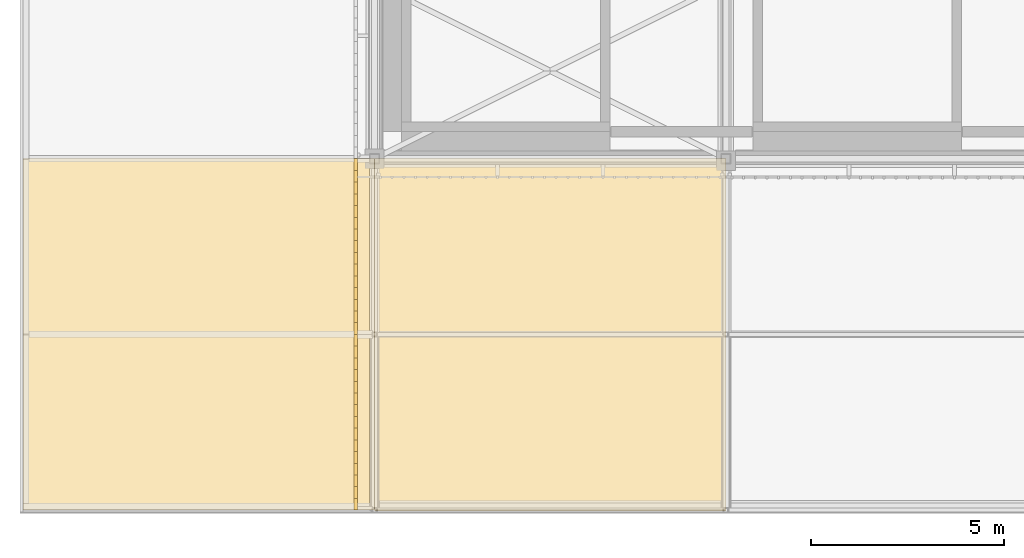
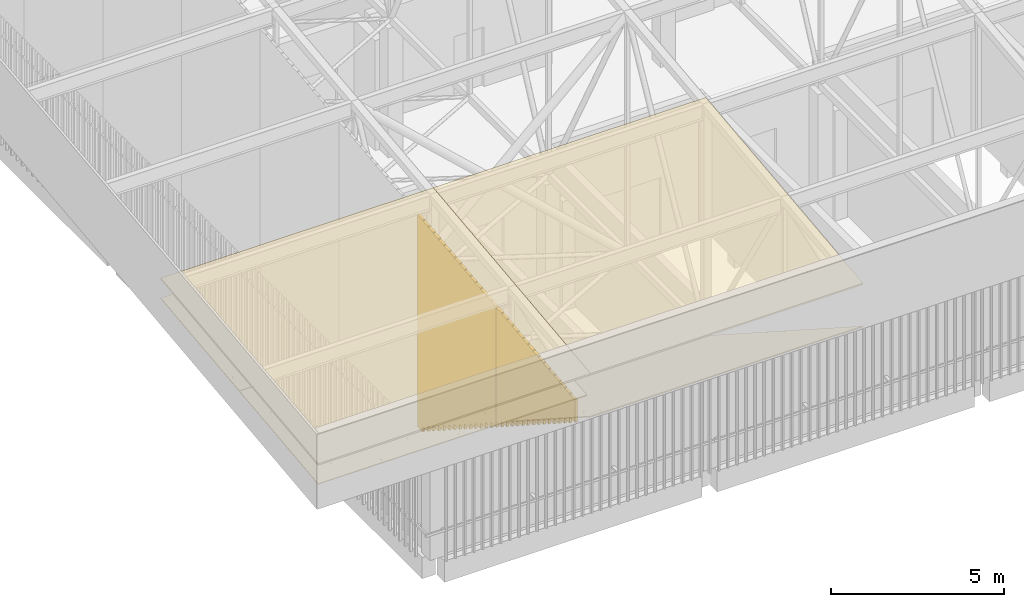
# One storey, part 455 of 500: 5 coverings, 2 shading devices.
"""IFC4 building model written with IfcOpenShell, lengths in metres."""

from ifc_helpers import new_model, si_unit, direction, frame, origin, origin_2d, place, context, subcontext, project, spatial, polyline, rectangle, outline, extrude, material, layer, layer_set, type_object, element, save


model = new_model("IFC4")

# Units and contexts
model_context = context("Model", 3, precision=1e-05, world=origin(), true_north=direction((0.0, 1.0)))
body_context = subcontext(model_context, "Body", "Model", "MODEL_VIEW")
ifc_project = project(units=[si_unit("LENGTHUNIT", "METRE"), si_unit("AREAUNIT", "SQUARE_METRE"), si_unit("VOLUMEUNIT", "CUBIC_METRE"), si_unit("PLANEANGLEUNIT", "RADIAN"), si_unit("MASSUNIT", "GRAM", prefix="KILO")], contexts=[model_context])

# Site, building, storey
site_placement = place(None, origin())
site = spatial("IfcSite", under=ifc_project, at=site_placement, CompositionType="ELEMENT")
building_placement = place(site_placement, origin())
building = spatial("IfcBuilding", under=site, at=building_placement, Name="Shirokan Park Arena", CompositionType="ELEMENT")
storey_placement = place(building_placement, frame((0.0, 0.0, 29.1201171875)))
storey = spatial("IfcBuildingStorey", under=building, at=storey_placement, Name="L06", CompositionType="ELEMENT", Elevation=29.1201171875)

# Coverings
ifc_material_1 = material(Name="Bituminous roofing membrane")
ifc_layer_1 = layer(ifc_material_1, 0.010009765625, Name="Bituminous roofing membrane")
ifc_material_2 = material(Name="Mineral wool insulation")
ifc_layer_2 = layer(ifc_material_2, 0.050048828125, Name="Mineral wool insulation")
ifc_layer_set_1 = layer_set([ifc_layer_1, ifc_layer_2], Name="Bituminous roofing membrane + Mineral wool insulation")
covering_type_1 = type_object("IfcCoveringType", Name="Roofing membrane 60", PredefinedType="ROOFING", material=ifc_layer_set_1)
for number, where, z_axis, x_axis, name in (
    (1, (-9.10009765625, -9.10009765625, 11.890625), (0.0, -0.113549598152, 0.993532328996), (1.0, 0.0, 0.0), "Roofing"),
    (2, (0.0, -9.10009765625, 11.890625), (0.0, -0.113549598152, 0.993532328996), (1.0, 0.0, 0.0), "Roofing"),
):
    element("IfcCovering", number, at=place(storey_placement, frame(where, z_axis=z_axis, x_axis=x_axis)), inside=storey, type_object=covering_type_1, Name=name, PredefinedType="ROOFING", context=body_context, shape_type="SweptSolid", body=[
        extrude(outline(polyline([(0.0, 0.0), (9.10009765625, 0.0), (9.10009765625, 9.15933723611117), (0.0, 9.15933723611117), (0.0, 0.0)])), origin(), (0.0, 0.0, -1.0), 0.06005859375),
    ])
ifc_material_3 = material(Name="Timber soffit boards (cedar)", Category="wood")
ifc_layer_3 = layer(ifc_material_3, 0.030029296875)
ifc_layer_set_2 = layer_set([ifc_layer_3], Name="Timber soffit boards (cedar) 30 mm")
covering_type_2 = type_object("IfcCoveringType", Name="Timber boarded soffit panel", PredefinedType="CLADDING", material=ifc_layer_set_2)
covering_1_placement = place(storey_placement, origin())
element("IfcCovering", 3, at=covering_1_placement, inside=storey, type_object=covering_type_2, Name="Eave soffit south bay 1", PredefinedType="CLADDING", context=body_context, shape_type="SweptSolid", body=[
    extrude(outline(polyline([(0.0, 0.0), (0.14269332184794056, 0.0), (0.14269332184794056, -9.1), (0.0, -9.1), (0.0, 0.0)])), frame((9.10009765625, -8.97998046875, 10.3037109375), z_axis=(0.0, 0.541090493936, 0.840964373426), x_axis=(0.0, -0.840964373426, 0.541090493936)), (0.0, 0.0, -1.0), 0.030029296875),
    extrude(outline(polyline([(0.0, 0.0), (0.1426933218479412, 0.0), (0.1426933218479412, -9.1), (0.0, -9.1), (0.0, 0.0)])), frame((0.0, -0.1201171875, 4.60302734375), z_axis=(0.0, 0.541090493936, 0.840964373427), x_axis=(0.0, 0.840964373427, -0.541090493936)), (0.0, 0.0, -1.0), 0.030029296875),
    extrude(outline(polyline([(0.0, 0.0), (0.11999999999999922, 0.0), (0.11999999999999922, -10.535473996759709), (0.0, -10.535473996759709), (0.0, 0.0)])), frame((9.10009765625, -8.97998046875, 10.3037109375), z_axis=(0.0, 0.541084340558, 0.84096833258), x_axis=(-1.0, 0.0, 0.0)), (0.0, 0.0, -1.0), 0.030029296875),
    extrude(outline(polyline([(0.0, 0.0), (0.12, 0.0), (0.12, -10.535473996759707), (0.0, -10.535473996759707), (0.0, 0.0)])), frame((0.0, -0.1201171875, 4.60302734375), z_axis=(0.0, 0.541084340558, 0.84096833258), x_axis=(1.0, 0.0, 0.0)), (0.0, 0.0, -1.0), 0.030029296875),
    extrude(outline(polyline([(0.0, 0.0), (10.535473996759707, 0.0), (10.535473996759707, -0.18333), (0.0, -0.18333), (0.0, 0.0)])), frame((0.1201171875, -8.97998046875, 10.3037109375), z_axis=(0.0, 0.541084340558, 0.84096833258), x_axis=(0.0, 0.84096833258, -0.541084340558)), (0.0, 0.0, -1.0), 0.030029296875),
    extrude(outline(polyline([(0.0, 0.0), (10.535473996759707, 0.0), (10.535473996759707, -0.30334000000000005), (0.0, -0.30334000000000005), (0.0, 0.0)])), frame((0.30322265625, -8.97998046875, 10.3037109375), z_axis=(0.0, 0.541084340558, 0.84096833258), x_axis=(0.0, 0.84096833258, -0.541084340558)), (0.0, 0.0, -1.0), 0.030029296875),
    extrude(outline(polyline([(0.0, 0.0), (10.535473996759709, 0.0), (10.535473996759709, -0.30333), (0.0, -0.30333), (0.0, 0.0)])), frame((0.606689453125, -8.97998046875, 10.3037109375), z_axis=(0.0, 0.541084340558, 0.84096833258), x_axis=(0.0, 0.84096833258, -0.541084340558)), (0.0, 0.0, -1.0), 0.030029296875),
    extrude(outline(polyline([(0.0, 0.0), (10.535473996759707, 0.0), (10.535473996759707, -0.30333), (0.0, -0.30333), (0.0, 0.0)])), frame((0.909912109375, -8.97998046875, 10.3037109375), z_axis=(0.0, 0.541084340558, 0.84096833258), x_axis=(0.0, 0.84096833258, -0.541084340558)), (0.0, 0.0, -1.0), 0.030029296875),
    extrude(outline(polyline([(0.0, 0.0), (10.535473996759707, 0.0), (10.535473996759707, -0.30333999999999994), (0.0, -0.30333999999999994), (0.0, 0.0)])), frame((1.21337890625, -8.97998046875, 10.3037109375), z_axis=(0.0, 0.541084340558, 0.84096833258), x_axis=(0.0, 0.84096833258, -0.541084340558)), (0.0, 0.0, -1.0), 0.030029296875),
    extrude(outline(polyline([(0.0, 0.0), (10.535473996759709, 0.0), (10.535473996759709, -0.3033300000000001), (0.0, -0.3033300000000001), (0.0, 0.0)])), frame((1.5166015625, -8.97998046875, 10.3037109375), z_axis=(0.0, 0.541084340558, 0.84096833258), x_axis=(0.0, 0.84096833258, -0.541084340558)), (0.0, 0.0, -1.0), 0.030029296875),
    extrude(outline(polyline([(0.0, 0.0), (10.535473996759707, 0.0), (10.535473996759707, -0.3033300000000001), (0.0, -0.3033300000000001), (0.0, 0.0)])), frame((1.820068359375, -8.97998046875, 10.3037109375), z_axis=(0.0, 0.541084340558, 0.84096833258), x_axis=(0.0, 0.84096833258, -0.541084340558)), (0.0, 0.0, -1.0), 0.030029296875),
    extrude(outline(polyline([(0.0, 0.0), (10.535473996759707, 0.0), (10.535473996759707, -0.30333999999999994), (0.0, -0.30333999999999994), (0.0, 0.0)])), frame((2.123291015625, -8.97998046875, 10.3037109375), z_axis=(0.0, 0.541084340558, 0.84096833258), x_axis=(0.0, 0.84096833258, -0.541084340558)), (0.0, 0.0, -1.0), 0.030029296875),
    extrude(outline(polyline([(0.0, 0.0), (10.535473996759709, 0.0), (10.535473996759709, -0.3033299999999999), (0.0, -0.3033299999999999), (0.0, 0.0)])), frame((2.4267578125, -8.97998046875, 10.3037109375), z_axis=(0.0, 0.541084340558, 0.84096833258), x_axis=(0.0, 0.84096833258, -0.541084340558)), (0.0, 0.0, -1.0), 0.030029296875),
    extrude(outline(polyline([(0.0, 0.0), (10.535473996759709, 0.0), (10.535473996759709, -0.3033299999999999), (0.0, -0.3033299999999999), (0.0, 0.0)])), frame((2.72998046875, -8.97998046875, 10.3037109375), z_axis=(0.0, 0.541084340558, 0.84096833258), x_axis=(0.0, 0.84096833258, -0.541084340558)), (0.0, 0.0, -1.0), 0.030029296875),
    extrude(outline(polyline([(0.0, 0.0), (10.535473996759707, 0.0), (10.535473996759707, -0.30333999999999994), (0.0, -0.30333999999999994), (0.0, 0.0)])), frame((3.033447265625, -8.97998046875, 10.3037109375), z_axis=(0.0, 0.541084340558, 0.84096833258), x_axis=(0.0, 0.84096833258, -0.541084340558)), (0.0, 0.0, -1.0), 0.030029296875),
    extrude(outline(polyline([(0.0, 0.0), (10.535473996759707, 0.0), (10.535473996759707, -0.3033300000000003), (0.0, -0.3033300000000003), (0.0, 0.0)])), frame((3.336669921875, -8.97998046875, 10.3037109375), z_axis=(0.0, 0.541084340558, 0.84096833258), x_axis=(0.0, 0.84096833258, -0.541084340558)), (0.0, 0.0, -1.0), 0.030029296875),
    extrude(outline(polyline([(0.0, 0.0), (10.535473996759709, 0.0), (10.535473996759709, -0.3033299999999999), (0.0, -0.3033299999999999), (0.0, 0.0)])), frame((3.639892578125, -8.97998046875, 10.3037109375), z_axis=(0.0, 0.541084340558, 0.84096833258), x_axis=(0.0, 0.84096833258, -0.541084340558)), (0.0, 0.0, -1.0), 0.030029296875),
    extrude(outline(polyline([(0.0, 0.0), (10.535473996759707, 0.0), (10.535473996759707, -0.30333999999999994), (0.0, -0.30333999999999994), (0.0, 0.0)])), frame((3.943359375, -8.97998046875, 10.3037109375), z_axis=(0.0, 0.541084340558, 0.84096833258), x_axis=(0.0, 0.84096833258, -0.541084340558)), (0.0, 0.0, -1.0), 0.030029296875),
    extrude(outline(polyline([(0.0, 0.0), (10.535473996759709, 0.0), (10.535473996759709, -0.3033299999999999), (0.0, -0.3033299999999999), (0.0, 0.0)])), frame((4.24658203125, -8.97998046875, 10.3037109375), z_axis=(0.0, 0.541084340558, 0.84096833258), x_axis=(0.0, 0.84096833258, -0.541084340558)), (0.0, 0.0, -1.0), 0.030029296875),
    extrude(outline(polyline([(0.0, 0.0), (10.535473996759709, 0.0), (10.535473996759709, -0.3033299999999999), (0.0, -0.3033299999999999), (0.0, 0.0)])), frame((4.550048828125, -8.97998046875, 10.3037109375), z_axis=(0.0, 0.541084340558, 0.84096833258), x_axis=(0.0, 0.84096833258, -0.541084340558)), (0.0, 0.0, -1.0), 0.030029296875),
    extrude(outline(polyline([(0.0, 0.0), (10.535473996759707, 0.0), (10.535473996759707, -0.3033400000000004), (0.0, -0.3033400000000004), (0.0, 0.0)])), frame((4.853271484375, -8.97998046875, 10.3037109375), z_axis=(0.0, 0.541084340558, 0.84096833258), x_axis=(0.0, 0.84096833258, -0.541084340558)), (0.0, 0.0, -1.0), 0.030029296875),
    extrude(outline(polyline([(0.0, 0.0), (10.535473996759709, 0.0), (10.535473996759709, -0.3033299999999999), (0.0, -0.3033299999999999), (0.0, 0.0)])), frame((5.15673828125, -8.97998046875, 10.3037109375), z_axis=(0.0, 0.541084340558, 0.84096833258), x_axis=(0.0, 0.84096833258, -0.541084340558)), (0.0, 0.0, -1.0), 0.030029296875),
    extrude(outline(polyline([(0.0, 0.0), (10.535473996759709, 0.0), (10.535473996759709, -0.3033299999999999), (0.0, -0.3033299999999999), (0.0, 0.0)])), frame((5.4599609375, -8.97998046875, 10.3037109375), z_axis=(0.0, 0.541084340558, 0.84096833258), x_axis=(0.0, 0.84096833258, -0.541084340558)), (0.0, 0.0, -1.0), 0.030029296875),
    extrude(outline(polyline([(0.0, 0.0), (10.535473996759707, 0.0), (10.535473996759707, -0.3033400000000004), (0.0, -0.3033400000000004), (0.0, 0.0)])), frame((5.763427734375, -8.97998046875, 10.3037109375), z_axis=(0.0, 0.541084340558, 0.84096833258), x_axis=(0.0, 0.84096833258, -0.541084340558)), (0.0, 0.0, -1.0), 0.030029296875),
    extrude(outline(polyline([(0.0, 0.0), (10.535473996759709, 0.0), (10.535473996759709, -0.3033299999999999), (0.0, -0.3033299999999999), (0.0, 0.0)])), frame((6.066650390625, -8.97998046875, 10.3037109375), z_axis=(0.0, 0.541084340558, 0.84096833258), x_axis=(0.0, 0.84096833258, -0.541084340558)), (0.0, 0.0, -1.0), 0.030029296875),
    extrude(outline(polyline([(0.0, 0.0), (10.535473996759709, 0.0), (10.535473996759709, -0.3033299999999999), (0.0, -0.3033299999999999), (0.0, 0.0)])), frame((6.3701171875, -8.97998046875, 10.3037109375), z_axis=(0.0, 0.541084340558, 0.84096833258), x_axis=(0.0, 0.84096833258, -0.541084340558)), (0.0, 0.0, -1.0), 0.030029296875),
    extrude(outline(polyline([(0.0, 0.0), (10.535473996759707, 0.0), (10.535473996759707, -0.3033400000000004), (0.0, -0.3033400000000004), (0.0, 0.0)])), frame((6.67333984375, -8.97998046875, 10.3037109375), z_axis=(0.0, 0.541084340558, 0.84096833258), x_axis=(0.0, 0.84096833258, -0.541084340558)), (0.0, 0.0, -1.0), 0.030029296875),
    extrude(outline(polyline([(0.0, 0.0), (10.535473996759709, 0.0), (10.535473996759709, -0.3033299999999999), (0.0, -0.3033299999999999), (0.0, 0.0)])), frame((6.9765625, -8.97998046875, 10.3037109375), z_axis=(0.0, 0.541084340558, 0.84096833258), x_axis=(0.0, 0.84096833258, -0.541084340558)), (0.0, 0.0, -1.0), 0.030029296875),
    extrude(outline(polyline([(0.0, 0.0), (10.535473996759709, 0.0), (10.535473996759709, -0.3033299999999999), (0.0, -0.3033299999999999), (0.0, 0.0)])), frame((7.280029296875, -8.97998046875, 10.3037109375), z_axis=(0.0, 0.541084340558, 0.84096833258), x_axis=(0.0, 0.84096833258, -0.541084340558)), (0.0, 0.0, -1.0), 0.030029296875),
    extrude(outline(polyline([(0.0, 0.0), (10.535473996759707, 0.0), (10.535473996759707, -0.3033399999999995), (0.0, -0.3033399999999995), (0.0, 0.0)])), frame((7.583251953125, -8.97998046875, 10.3037109375), z_axis=(0.0, 0.541084340558, 0.84096833258), x_axis=(0.0, 0.84096833258, -0.541084340558)), (0.0, 0.0, -1.0), 0.030029296875),
    extrude(outline(polyline([(0.0, 0.0), (10.535473996759709, 0.0), (10.535473996759709, -0.3033299999999999), (0.0, -0.3033299999999999), (0.0, 0.0)])), frame((7.88671875, -8.97998046875, 10.3037109375), z_axis=(0.0, 0.541084340558, 0.84096833258), x_axis=(0.0, 0.84096833258, -0.541084340558)), (0.0, 0.0, -1.0), 0.030029296875),
    extrude(outline(polyline([(0.0, 0.0), (10.535473996759707, 0.0), (10.535473996759707, -0.30333000000000077), (0.0, -0.30333000000000077), (0.0, 0.0)])), frame((8.18994140625, -8.97998046875, 10.3037109375), z_axis=(0.0, 0.541084340558, 0.84096833258), x_axis=(0.0, 0.84096833258, -0.541084340558)), (0.0, 0.0, -1.0), 0.030029296875),
    extrude(outline(polyline([(0.0, 0.0), (10.535473996759707, 0.0), (10.535473996759707, -0.3033400000000004), (0.0, -0.3033400000000004), (0.0, 0.0)])), frame((8.493408203125, -8.97998046875, 10.3037109375), z_axis=(0.0, 0.541084340558, 0.84096833258), x_axis=(0.0, 0.84096833258, -0.541084340558)), (0.0, 0.0, -1.0), 0.030029296875),
    extrude(outline(polyline([(0.0, 0.0), (0.18332999999999977, 0.0), (0.18332999999999977, -10.535473996759707), (0.0, -10.535473996759707), (0.0, 0.0)])), frame((8.97998046875, -8.97998046875, 10.3037109375), z_axis=(0.0, 0.541084340558, 0.84096833258), x_axis=(-1.0, 0.0, 0.0)), (0.0, 0.0, -1.0), 0.030029296875),
])
covering_2_placement = place(storey_placement, origin())
element("IfcCovering", 4, at=covering_2_placement, inside=storey, type_object=covering_type_2, Name="Rake soffit west bay 1", PredefinedType="CLADDING", context=body_context, shape_type="SweptSolid", body=[
    extrude(outline(polyline([(0.0, 0.0), (0.11999999999999922, 0.0), (0.11999999999999922, -4.57961788799022), (0.0, -4.57961788799022), (0.0, 0.0)])), frame((-8.97998046875, -9.10009765625, 11.181884765625), z_axis=(0.0, -0.113546591161, 0.993532672656), x_axis=(-1.0, 0.0, 0.0)), (0.0, 0.0, -1.0), 0.030029296875),
    extrude(outline(polyline([(0.0, 0.0), (0.12, 0.0), (0.12, -4.579617887990221), (0.0, -4.579617887990221), (0.0, 0.0)])), frame((-0.2470703125, -4.550048828125, 11.701904296875), z_axis=(0.0, -0.113546591161, 0.993532672656), x_axis=(1.0, 0.0, 0.0)), (0.0, 0.0, -1.0), 0.030029296875),
    extrude(outline(polyline([(0.0, 0.0), (0.12078064455863827, 0.0), (0.12078064455863827, -8.733), (0.0, -8.733), (0.0, 0.0)])), frame((-0.2470703125, -4.550048828125, 11.701904296875), z_axis=(0.0, -0.11351156512, 0.993536675007), x_axis=(0.0, -0.993536675007, -0.11351156512)), (0.0, 0.0, -1.0), 0.030029296875),
    extrude(outline(polyline([(0.0, 0.0), (0.12078064455863737, 0.0), (0.12078064455863737, -8.732999999999999), (0.0, -8.732999999999999), (0.0, 0.0)])), frame((-8.97998046875, -9.10009765625, 11.181884765625), z_axis=(0.0, -0.11351156512, 0.993536675007), x_axis=(0.0, 0.993536675007, 0.11351156512)), (0.0, 0.0, -1.0), 0.030029296875),
    extrude(outline(polyline([(0.0, 0.0), (8.733, 0.0), (8.733, -0.1845242816000098), (0.0, -0.1845242816000098), (0.0, 0.0)])), frame((-8.97998046875, -8.796630859375, 11.216552734375), z_axis=(0.0, -0.113589386818, 0.99352778079), x_axis=(1.0, 0.0, 0.0)), (0.0, 0.0, -1.0), 0.030029296875),
    extrude(outline(polyline([(0.0, 0.0), (8.733, 0.0), (8.733, -0.3053137258624322), (0.0, -0.3053137258624322), (0.0, 0.0)])), frame((-8.97998046875, -8.493408203125, 11.251220703125), z_axis=(0.0, -0.113522573877, 0.993535417195), x_axis=(1.0, 0.0, 0.0)), (0.0, 0.0, -1.0), 0.030029296875),
    extrude(outline(polyline([(0.0, 0.0), (8.733, 0.0), (8.733, -0.3053049259347126), (0.0, -0.3053049259347126), (0.0, 0.0)])), frame((-8.97998046875, -8.18994140625, 11.285888671875), z_axis=(0.0, -0.113558600124, 0.99353130013), x_axis=(1.0, 0.0, 0.0)), (0.0, 0.0, -1.0), 0.030029296875),
    extrude(outline(polyline([(0.0, 0.0), (8.733, 0.0), (8.733, -0.30530492593471176), (0.0, -0.30530492593471176), (0.0, 0.0)])), frame((-8.97998046875, -7.88671875, 11.320556640625), z_axis=(0.0, -0.113558600124, 0.99353130013), x_axis=(1.0, 0.0, 0.0)), (0.0, 0.0, -1.0), 0.030029296875),
    extrude(outline(polyline([(0.0, 0.0), (8.733, 0.0), (8.733, -0.30531372586243133), (0.0, -0.30531372586243133), (0.0, 0.0)])), frame((-8.97998046875, -7.583251953125, 11.355224609375), z_axis=(0.0, -0.113522573877, 0.993535417195), x_axis=(1.0, 0.0, 0.0)), (0.0, 0.0, -1.0), 0.030029296875),
    extrude(outline(polyline([(0.0, 0.0), (8.733, 0.0), (8.733, -0.3053049259347117), (0.0, -0.3053049259347117), (0.0, 0.0)])), frame((-8.97998046875, -7.280029296875, 11.389892578125), z_axis=(0.0, -0.113558600124, 0.99353130013), x_axis=(1.0, 0.0, 0.0)), (0.0, 0.0, -1.0), 0.030029296875),
    extrude(outline(polyline([(0.0, 0.0), (8.733, 0.0), (8.733, -0.30530492593471253), (0.0, -0.30530492593471253), (0.0, 0.0)])), frame((-8.97998046875, -6.9765625, 11.424560546875), z_axis=(0.0, -0.113558600124, 0.99353130013), x_axis=(1.0, 0.0, 0.0)), (0.0, 0.0, -1.0), 0.030029296875),
    extrude(outline(polyline([(0.0, 0.0), (8.733, 0.0), (8.733, -0.3053137258624314), (0.0, -0.3053137258624314), (0.0, 0.0)])), frame((-8.97998046875, -6.67333984375, 11.459228515625), z_axis=(0.0, -0.113522573877, 0.993535417195), x_axis=(1.0, 0.0, 0.0)), (0.0, 0.0, -1.0), 0.030029296875),
    extrude(outline(polyline([(0.0, 0.0), (8.733, 0.0), (8.733, -0.3053049259347117), (0.0, -0.3053049259347117), (0.0, 0.0)])), frame((-8.97998046875, -6.3701171875, 11.493896484375), z_axis=(0.0, -0.113558600124, 0.99353130013), x_axis=(1.0, 0.0, 0.0)), (0.0, 0.0, -1.0), 0.030029296875),
    extrude(outline(polyline([(0.0, 0.0), (8.733, 0.0), (8.733, -0.30530492593471253), (0.0, -0.30530492593471253), (0.0, 0.0)])), frame((-8.97998046875, -6.066650390625, 11.528564453125), z_axis=(0.0, -0.113558600124, 0.99353130013), x_axis=(1.0, 0.0, 0.0)), (0.0, 0.0, -1.0), 0.030029296875),
    extrude(outline(polyline([(0.0, 0.0), (8.733, 0.0), (8.733, -0.3053137258624314), (0.0, -0.3053137258624314), (0.0, 0.0)])), frame((-8.97998046875, -5.763427734375, 11.563232421875), z_axis=(0.0, -0.113522573877, 0.993535417195), x_axis=(1.0, 0.0, 0.0)), (0.0, 0.0, -1.0), 0.030029296875),
    extrude(outline(polyline([(0.0, 0.0), (8.733, 0.0), (8.733, -0.30530492593471253), (0.0, -0.30530492593471253), (0.0, 0.0)])), frame((-8.97998046875, -5.4599609375, 11.597900390625), z_axis=(0.0, -0.113558600124, 0.99353130013), x_axis=(1.0, 0.0, 0.0)), (0.0, 0.0, -1.0), 0.030029296875),
    extrude(outline(polyline([(0.0, 0.0), (8.733, 0.0), (8.733, -0.3053049259347117), (0.0, -0.3053049259347117), (0.0, 0.0)])), frame((-8.97998046875, -5.15673828125, 11.632568359375), z_axis=(0.0, -0.113558600124, 0.99353130013), x_axis=(1.0, 0.0, 0.0)), (0.0, 0.0, -1.0), 0.030029296875),
    extrude(outline(polyline([(0.0, 0.0), (8.733, 0.0), (8.733, -0.3053137258624314), (0.0, -0.3053137258624314), (0.0, 0.0)])), frame((-8.97998046875, -4.853271484375, 11.667236328125), z_axis=(0.0, -0.113522573877, 0.993535417195), x_axis=(1.0, 0.0, 0.0)), (0.0, 0.0, -1.0), 0.030029296875),
    extrude(outline(polyline([(0.0, 0.0), (8.733, 0.0), (8.733, -0.1845242816000106), (0.0, -0.1845242816000106), (0.0, 0.0)])), frame((-8.97998046875, -4.669921875, 11.688232421875), z_axis=(0.0, -0.113589386818, 0.99352778079), x_axis=(1.0, 0.0, 0.0)), (0.0, 0.0, -1.0), 0.030029296875),
])
covering_3_placement = place(storey_placement, origin())
element("IfcCovering", 5, at=covering_3_placement, inside=storey, type_object=covering_type_2, Name="Rake soffit west bay 2", PredefinedType="CLADDING", context=body_context, shape_type="SweptSolid", body=[
    extrude(outline(polyline([(0.0, 0.0), (0.11999999999999922, 0.0), (0.11999999999999922, -4.579617887990218), (0.0, -4.579617887990218), (0.0, 0.0)])), frame((-8.97998046875, -4.550048828125, 11.701904296875), z_axis=(0.0, -0.113546591161, 0.993532672656), x_axis=(-1.0, 0.0, 0.0)), (0.0, 0.0, -1.0), 0.030029296875),
    extrude(outline(polyline([(0.0, 0.0), (0.12, 0.0), (0.12, -4.579617887990219), (0.0, -4.579617887990219), (0.0, 0.0)])), frame((-0.2470703125, 0.0, 12.221923828125), z_axis=(0.0, -0.113546591161, 0.993532672656), x_axis=(1.0, 0.0, 0.0)), (0.0, 0.0, -1.0), 0.030029296875),
    extrude(outline(polyline([(0.0, 0.0), (0.12078064455863735, 0.0), (0.12078064455863735, -8.733), (0.0, -8.733), (0.0, 0.0)])), frame((-0.2470703125, 0.0, 12.221923828125), z_axis=(0.0, -0.11351156512, 0.993536675007), x_axis=(0.0, -0.993536675007, -0.11351156512)), (0.0, 0.0, -1.0), 0.030029296875),
    extrude(outline(polyline([(0.0, 0.0), (0.12078064455863746, 0.0), (0.12078064455863746, -8.733), (0.0, -8.733), (0.0, 0.0)])), frame((-8.97998046875, -4.550048828125, 11.701904296875), z_axis=(0.0, -0.11351156512, 0.993536675007), x_axis=(0.0, 0.993536675007, 0.11351156512)), (0.0, 0.0, -1.0), 0.030029296875),
    extrude(outline(polyline([(0.0, 0.0), (8.733, 0.0), (8.733, -0.1845242816000106), (0.0, -0.1845242816000106), (0.0, 0.0)])), frame((-8.97998046875, -4.24658203125, 11.736572265625), z_axis=(0.0, -0.113589386818, 0.99352778079), x_axis=(1.0, 0.0, 0.0)), (0.0, 0.0, -1.0), 0.030029296875),
    extrude(outline(polyline([(0.0, 0.0), (8.733, 0.0), (8.733, -0.3053137258624317), (0.0, -0.3053137258624317), (0.0, 0.0)])), frame((-8.97998046875, -3.943359375, 11.771240234375), z_axis=(0.0, -0.113522573877, 0.993535417195), x_axis=(1.0, 0.0, 0.0)), (0.0, 0.0, -1.0), 0.030029296875),
    extrude(outline(polyline([(0.0, 0.0), (8.733, 0.0), (8.733, -0.3053049259347117), (0.0, -0.3053049259347117), (0.0, 0.0)])), frame((-8.97998046875, -3.639892578125, 11.805908203125), z_axis=(0.0, -0.113558600124, 0.99353130013), x_axis=(1.0, 0.0, 0.0)), (0.0, 0.0, -1.0), 0.030029296875),
    extrude(outline(polyline([(0.0, 0.0), (8.733, 0.0), (8.733, -0.30530492593471215), (0.0, -0.30530492593471215), (0.0, 0.0)])), frame((-8.97998046875, -3.336669921875, 11.840576171875), z_axis=(0.0, -0.113558600124, 0.99353130013), x_axis=(1.0, 0.0, 0.0)), (0.0, 0.0, -1.0), 0.030029296875),
    extrude(outline(polyline([(0.0, 0.0), (8.733, 0.0), (8.733, -0.3053137258624317), (0.0, -0.3053137258624317), (0.0, 0.0)])), frame((-8.97998046875, -3.033447265625, 11.875244140625), z_axis=(0.0, -0.113522573877, 0.993535417195), x_axis=(1.0, 0.0, 0.0)), (0.0, 0.0, -1.0), 0.030029296875),
    extrude(outline(polyline([(0.0, 0.0), (8.733, 0.0), (8.733, -0.3053049259347117), (0.0, -0.3053049259347117), (0.0, 0.0)])), frame((-8.97998046875, -2.72998046875, 11.909912109375), z_axis=(0.0, -0.113558600124, 0.99353130013), x_axis=(1.0, 0.0, 0.0)), (0.0, 0.0, -1.0), 0.030029296875),
    extrude(outline(polyline([(0.0, 0.0), (8.733, 0.0), (8.733, -0.3053049259347117), (0.0, -0.3053049259347117), (0.0, 0.0)])), frame((-8.97998046875, -2.4267578125, 11.944580078125), z_axis=(0.0, -0.113558600124, 0.99353130013), x_axis=(1.0, 0.0, 0.0)), (0.0, 0.0, -1.0), 0.030029296875),
    extrude(outline(polyline([(0.0, 0.0), (8.733, 0.0), (8.733, -0.3053137258624317), (0.0, -0.3053137258624317), (0.0, 0.0)])), frame((-8.97998046875, -2.123291015625, 11.979248046875), z_axis=(0.0, -0.113522573877, 0.993535417195), x_axis=(1.0, 0.0, 0.0)), (0.0, 0.0, -1.0), 0.030029296875),
    extrude(outline(polyline([(0.0, 0.0), (8.733, 0.0), (8.733, -0.3053049259347119), (0.0, -0.3053049259347119), (0.0, 0.0)])), frame((-8.97998046875, -1.820068359375, 12.013916015625), z_axis=(0.0, -0.113558600124, 0.99353130013), x_axis=(1.0, 0.0, 0.0)), (0.0, 0.0, -1.0), 0.030029296875),
    extrude(outline(polyline([(0.0, 0.0), (8.733, 0.0), (8.733, -0.3053049259347119), (0.0, -0.3053049259347119), (0.0, 0.0)])), frame((-8.97998046875, -1.5166015625, 12.048583984375), z_axis=(0.0, -0.113558600124, 0.99353130013), x_axis=(1.0, 0.0, 0.0)), (0.0, 0.0, -1.0), 0.030029296875),
    extrude(outline(polyline([(0.0, 0.0), (8.733, 0.0), (8.733, -0.3053137258624317), (0.0, -0.3053137258624317), (0.0, 0.0)])), frame((-8.97998046875, -1.21337890625, 12.083251953125), z_axis=(0.0, -0.113522573877, 0.993535417195), x_axis=(1.0, 0.0, 0.0)), (0.0, 0.0, -1.0), 0.030029296875),
    extrude(outline(polyline([(0.0, 0.0), (8.733, 0.0), (8.733, -0.3053049259347118), (0.0, -0.3053049259347118), (0.0, 0.0)])), frame((-8.97998046875, -0.909912109375, 12.117919921875), z_axis=(0.0, -0.113558600124, 0.99353130013), x_axis=(1.0, 0.0, 0.0)), (0.0, 0.0, -1.0), 0.030029296875),
    extrude(outline(polyline([(0.0, 0.0), (8.733, 0.0), (8.733, -0.3053049259347118), (0.0, -0.3053049259347118), (0.0, 0.0)])), frame((-8.97998046875, -0.606689453125, 12.152587890625), z_axis=(0.0, -0.113558600124, 0.99353130013), x_axis=(1.0, 0.0, 0.0)), (0.0, 0.0, -1.0), 0.030029296875),
    extrude(outline(polyline([(0.0, 0.0), (8.733, 0.0), (8.733, -0.30531372586243183), (0.0, -0.30531372586243183), (0.0, 0.0)])), frame((-8.97998046875, -0.30322265625, 12.187255859375), z_axis=(0.0, -0.113522573877, 0.993535417195), x_axis=(1.0, 0.0, 0.0)), (0.0, 0.0, -1.0), 0.030029296875),
    extrude(outline(polyline([(0.0, 0.0), (8.733, 0.0), (8.733, -0.18452428160001083), (0.0, -0.18452428160001083), (0.0, 0.0)])), frame((-8.97998046875, -0.1201171875, 12.208251953125), z_axis=(0.0, -0.113589386818, 0.99352778079), x_axis=(1.0, 0.0, 0.0)), (0.0, 0.0, -1.0), 0.030029296875),
])

# Shading devices
ifc_material_4 = material(Name="Timber louvre veil (cedar)", Category="wood")
shading_device_type = type_object("IfcShadingDeviceType", Name="Timber louvre veil panel, gable band, closed", PredefinedType="JALOUSIE", material=ifc_material_4)
shading_device_1_placement = place(storey_placement, origin())
element("IfcShadingDevice", 6, at=shading_device_1_placement, inside=storey, type_object=shading_device_type, Name="Timber louvre veil gable band west bay 1", PredefinedType="JALOUSIE", context=body_context, shape_type="SweptSolid", body=[
    extrude(outline(polyline([(-6.9765625, 8.967041015625), (-6.67333984375, 8.967041015625), (-6.67333984375, 8.77197265625), (-6.3701171875, 8.77197265625), (-6.3701171875, 8.576904296875), (-6.066650390625, 8.576904296875), (-6.066650390625, 8.381591796875), (-5.763427734375, 8.381591796875), (-5.763427734375, 8.1865234375), (-5.4599609375, 8.1865234375), (-5.4599609375, 7.9912109375), (-5.15673828125, 7.9912109375), (-5.15673828125, 7.796142578125), (-4.853271484375, 7.796142578125), (-4.853271484375, 7.600830078125), (-4.550048828125, 7.600830078125), (-4.550048828125, 11.63720703125), (-4.853271484375, 11.63720703125), (-4.853271484375, 11.6025390625), (-5.15673828125, 11.6025390625), (-5.15673828125, 11.56787109375), (-5.4599609375, 11.56787109375), (-5.4599609375, 11.533203125), (-5.763427734375, 11.533203125), (-5.763427734375, 11.49853515625), (-6.066650390625, 11.49853515625), (-6.066650390625, 11.4638671875), (-6.3701171875, 11.4638671875), (-6.3701171875, 11.42919921875), (-6.67333984375, 11.42919921875), (-6.67333984375, 11.39453125), (-6.9765625, 11.39453125), (-6.9765625, 11.35986328125), (-7.280029296875, 11.35986328125), (-7.280029296875, 11.3251953125), (-7.583251953125, 11.3251953125), (-7.583251953125, 11.29052734375), (-7.88671875, 11.29052734375), (-7.88671875, 11.255859375), (-8.18994140625, 11.255859375), (-8.18994140625, 11.22119140625), (-8.493408203125, 11.22119140625), (-8.493408203125, 11.1865234375), (-8.796630859375, 11.1865234375), (-8.796630859375, 11.15185546875), (-9.10009765625, 11.15185546875), (-9.10009765625, 10.333251953125), (-8.796630859375, 10.333251953125), (-8.796630859375, 10.13818359375), (-8.493408203125, 10.13818359375), (-8.493408203125, 9.94287109375), (-8.18994140625, 9.94287109375), (-8.18994140625, 9.747802734375), (-7.88671875, 9.747802734375), (-7.88671875, 9.552734375), (-7.583251953125, 9.552734375), (-7.583251953125, 9.357421875), (-7.280029296875, 9.357421875), (-7.280029296875, 9.162353515625), (-6.9765625, 9.162353515625), (-6.9765625, 8.967041015625)])), frame((-0.525146484375, 0.0, 0.0), z_axis=(1.0, 0.0, 0.0), x_axis=(0.0, 1.0, 0.0)), (0.0, 0.0, 1.0), 0.080078125),
    extrude(rectangle(XDim=0.050048828125, YDim=4.550048828125, at=origin_2d()), frame((-0.469970703125, -6.824951171875, 10.70263671875), z_axis=(0.0, 0.0, 1.0), x_axis=(1.0, 0.0, 0.0)), (0.0, 0.0, 1.0), 0.080078125),
])
shading_device_2_placement = place(storey_placement, origin())
element("IfcShadingDevice", 7, at=shading_device_2_placement, inside=storey, type_object=shading_device_type, Name="Timber louvre veil gable band west bay 2", PredefinedType="JALOUSIE", context=body_context, shape_type="SweptSolid", body=[
    extrude(outline(polyline([(-2.4267578125, 6.03955078125), (-2.123291015625, 6.03955078125), (-2.123291015625, 5.844482421875), (-1.820068359375, 5.844482421875), (-1.820068359375, 5.649169921875), (-1.5166015625, 5.649169921875), (-1.5166015625, 5.4541015625), (-1.21337890625, 5.4541015625), (-1.21337890625, 5.259033203125), (-0.909912109375, 5.259033203125), (-0.909912109375, 5.063720703125), (-0.606689453125, 5.063720703125), (-0.606689453125, 4.86865234375), (-0.30322265625, 4.86865234375), (-0.30322265625, 4.67333984375), (0.0, 4.67333984375), (0.0, 12.1572265625), (-0.30322265625, 12.1572265625), (-0.30322265625, 12.12255859375), (-0.606689453125, 12.12255859375), (-0.606689453125, 12.087890625), (-0.909912109375, 12.087890625), (-0.909912109375, 12.05322265625), (-1.21337890625, 12.05322265625), (-1.21337890625, 12.0185546875), (-1.5166015625, 12.0185546875), (-1.5166015625, 11.98388671875), (-1.820068359375, 11.98388671875), (-1.820068359375, 11.94921875), (-2.123291015625, 11.94921875), (-2.123291015625, 11.91455078125), (-2.4267578125, 11.91455078125), (-2.4267578125, 11.8798828125), (-2.72998046875, 11.8798828125), (-2.72998046875, 11.84521484375), (-3.033447265625, 11.84521484375), (-3.033447265625, 11.810546875), (-3.336669921875, 11.810546875), (-3.336669921875, 11.77587890625), (-3.639892578125, 11.77587890625), (-3.639892578125, 11.7412109375), (-3.943359375, 11.7412109375), (-3.943359375, 11.70654296875), (-4.24658203125, 11.70654296875), (-4.24658203125, 11.671875), (-4.550048828125, 11.671875), (-4.550048828125, 7.40576171875), (-4.24658203125, 7.40576171875), (-4.24658203125, 7.210693359375), (-3.943359375, 7.210693359375), (-3.943359375, 7.015380859375), (-3.639892578125, 7.015380859375), (-3.639892578125, 6.8203125), (-3.336669921875, 6.8203125), (-3.336669921875, 6.625), (-3.033447265625, 6.625), (-3.033447265625, 6.429931640625), (-2.72998046875, 6.429931640625), (-2.72998046875, 6.23486328125), (-2.4267578125, 6.23486328125), (-2.4267578125, 6.03955078125)])), frame((-0.525146484375, 0.0, 0.0), z_axis=(1.0, 0.0, 0.0), x_axis=(0.0, 1.0, 0.0)), (0.0, 0.0, 1.0), 0.080078125),
    extrude(rectangle(XDim=0.050048828125, YDim=4.550048828125, at=origin_2d()), frame((-0.469970703125, -2.27490234375, 7.815673828125), z_axis=(0.0, 0.0, 1.0), x_axis=(1.0, 0.0, 0.0)), (0.0, 0.0, 1.0), 0.080078125),
    extrude(rectangle(XDim=0.050048828125, YDim=4.550048828125, at=origin_2d()), frame((-0.469970703125, -2.27490234375, 9.498779296875), z_axis=(0.0, 0.0, 1.0), x_axis=(1.0, 0.0, 0.0)), (0.0, 0.0, 1.0), 0.080078125),
    extrude(rectangle(XDim=0.050048828125, YDim=4.550048828125, at=origin_2d()), frame((-0.469970703125, -2.27490234375, 11.53173828125), z_axis=(0.0, 0.0, 1.0), x_axis=(1.0, 0.0, 0.0)), (0.0, 0.0, 1.0), 0.080078125),
])

save(model, "model.ifc")
